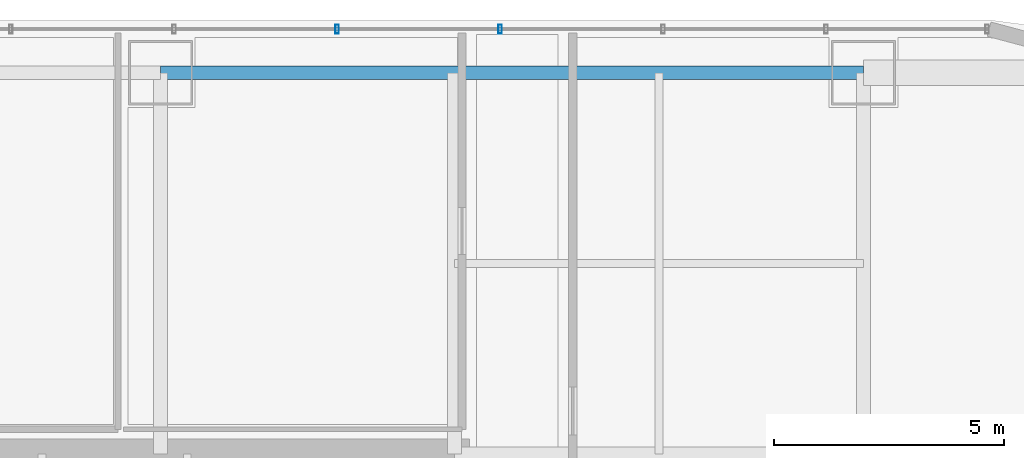
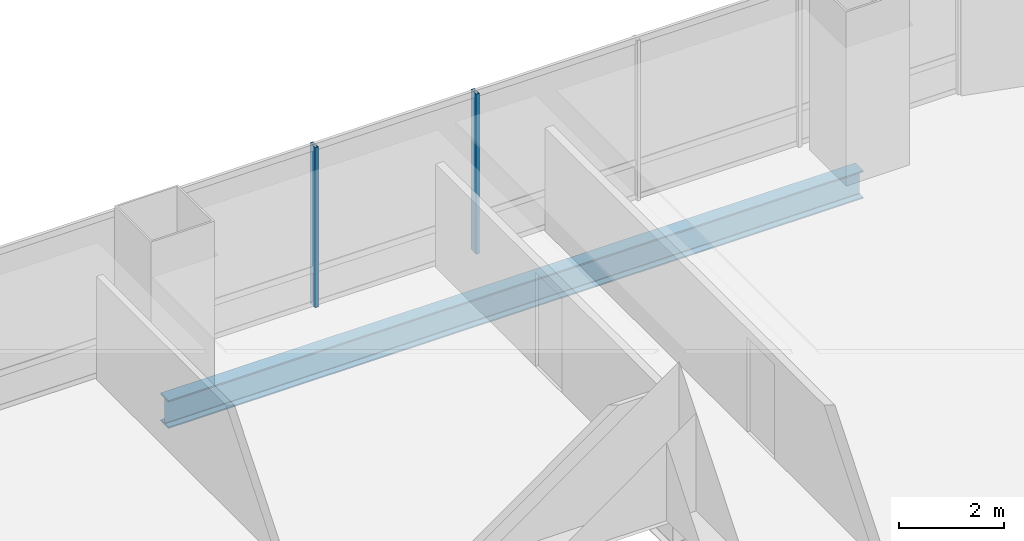
# One storey, part 25 of 35: 2 members, 1 beam, 1 element without a shape of its own.
"""IFC4 building model written with IfcOpenShell, lengths in metres."""

from ifc_helpers import new_model, si_unit, direction, frame, origin, origin_2d, place, context, subcontext, project, spatial, hollow_rectangle, i_section, extrude, material, material_profile, profile_set, type_object, element, aggregate, save


model = new_model("IFC4")

# Units and contexts
model_context = context("Model", 3, precision=1e-05, world=origin(), true_north=direction((0.0, 1.0)))
body_context = subcontext(model_context, "Body", "Model", "MODEL_VIEW")
ifc_project = project(units=[si_unit("LENGTHUNIT", "METRE"), si_unit("AREAUNIT", "SQUARE_METRE"), si_unit("VOLUMEUNIT", "CUBIC_METRE"), si_unit("PLANEANGLEUNIT", "RADIAN"), si_unit("MASSUNIT", "GRAM", prefix="KILO")], contexts=[model_context])

# Site, building, storey
site_placement = place(None, origin())
site = spatial("IfcSite", under=ifc_project, at=site_placement, CompositionType="ELEMENT")
building_placement = place(site_placement, origin())
building = spatial("IfcBuilding", under=site, at=building_placement, Name="Punatoya Terracotta Tower", CompositionType="ELEMENT")
storey_placement = place(building_placement, frame((0.0, 0.0, 232.949951171875)))
storey = spatial("IfcBuildingStorey", under=building, at=storey_placement, Name="L55", CompositionType="ELEMENT", Elevation=232.949951171875)

# Beam
ifc_material_1 = material(Name="Steel S355", Category="steel")
ifc_material_profile_1 = material_profile(ifc_material_1, i_section(OverallWidth=0.300048828125, OverallDepth=0.64990234375, WebThickness=0.01611328125, FlangeThickness=0.031005859375, FilletRadius=0.01806640625, at=origin_2d()))
ifc_profile_set_1 = profile_set([ifc_material_profile_1], Name="Steel S355")
beam_type = type_object("IfcBeamType", Name="BM-PRI-650", PredefinedType="BEAM", material=ifc_profile_set_1)
beam_placement = place(storey_placement, frame((3.800048828125, 17.5, -0.544921875), z_axis=(1.0, 0.0, 0.0), x_axis=(0.0, 1.0, 0.0)))
element("IfcBeam", 1, at=beam_placement, inside=storey, type_object=beam_type, Name="BM-L55-RG-N3", PredefinedType="BEAM", context=body_context, shape_type="SweptSolid", body=[
    extrude(i_section(OverallWidth=0.300048828125, OverallDepth=0.64990234375, WebThickness=0.01611328125, FlangeThickness=0.031005859375, FilletRadius=0.01806640625, at=origin_2d()), origin(), (0.0, 0.0, 1.0), 15.300048828125),
])

# Curtain wall, members
ifc_material_2 = material(Name="Aluminium 6063-T6 + Double Low-E Glass", Category="aluminium")
curtain_wall_type = type_object("IfcCurtainWallType", Name="CW-M2", PredefinedType="NOTDEFINED", material=ifc_material_2)
curtain_wall_placement = place(storey_placement, origin())
curtain_wall = element("IfcCurtainWall", 2, at=curtain_wall_placement, inside=storey, type_object=curtain_wall_type, Name="L55 Curtain Wall CW-L55-N08-1", PredefinedType="NOTDEFINED")
ifc_material_3 = material(Name="Aluminium 6063-T6", Category="aluminium")
ifc_material_profile_2 = material_profile(ifc_material_3, hollow_rectangle(XDim=0.072021484375, YDim=0.195068359375, WallThickness=0.00439453125, at=origin_2d()))
ifc_profile_set_2 = profile_set([ifc_material_profile_2], Name="Aluminium 6063-T6")
member_type = type_object("IfcMemberType", Name="CW-MUL-M2", PredefinedType="MULLION", material=ifc_profile_set_2)
member_1_placement = place(storey_placement, frame((11.19091796875, 18.449951171875, 0.0), z_axis=(0.0, 0.0, 1.0), x_axis=(1.0, 0.0, 0.0)))
member_1 = element("IfcMember", 3, at=member_1_placement, type_object=member_type, Name="CW-L55-N08-1 Mullion 03", PredefinedType="MULLION", context=body_context, shape_type="SweptSolid", body=[
    extrude(hollow_rectangle(XDim=0.072021484375, YDim=0.195068359375, WallThickness=0.00439453125, at=origin_2d()), origin(), (0.0, 0.0, 1.0), 3.72998046875),
])
member_2_placement = place(storey_placement, frame((7.64208984375, 18.449951171875, 0.0), z_axis=(0.0, 0.0, 1.0), x_axis=(1.0, 0.0, 0.0)))
member_2 = element("IfcMember", 4, at=member_2_placement, type_object=member_type, Name="CW-L55-N08-1 Mullion 04", PredefinedType="MULLION", context=body_context, shape_type="SweptSolid", body=[
    extrude(hollow_rectangle(XDim=0.072021484375, YDim=0.195068359375, WallThickness=0.00439453125, at=origin_2d()), origin(), (0.0, 0.0, 1.0), 3.72998046875),
])
aggregate(curtain_wall, [member_1, member_2])

save(model, "model.ifc")
